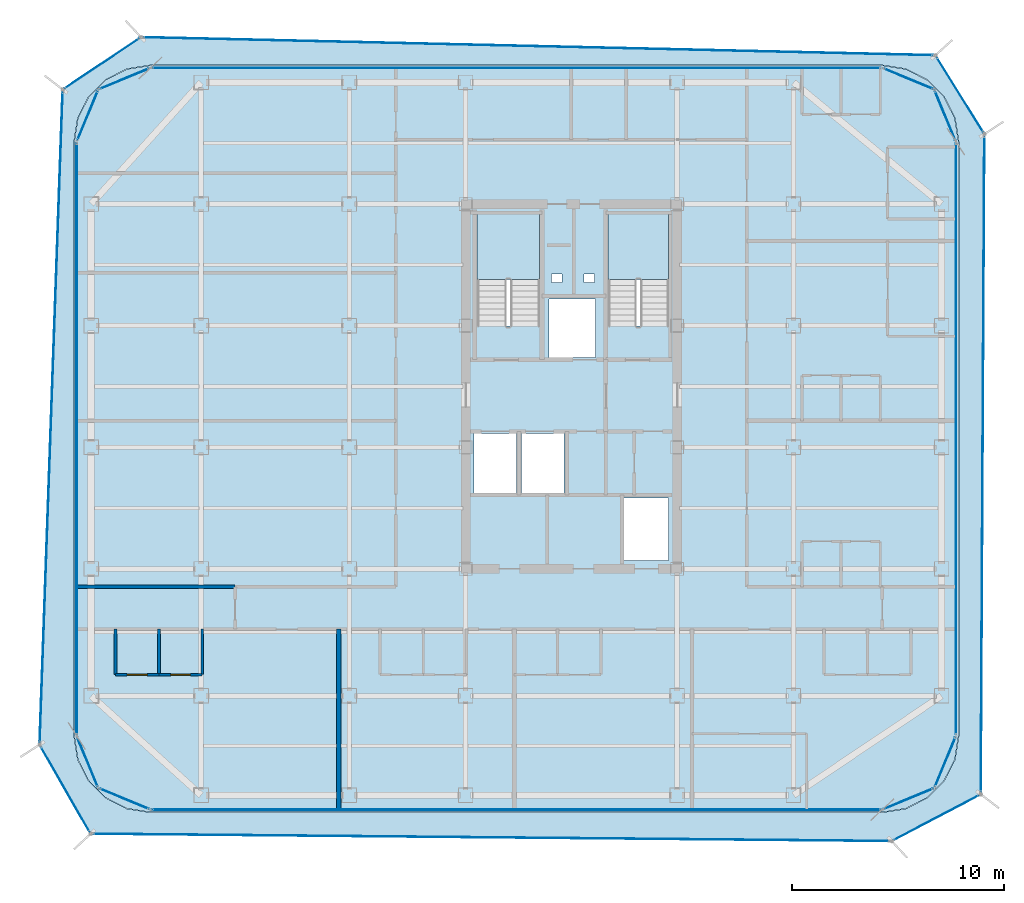
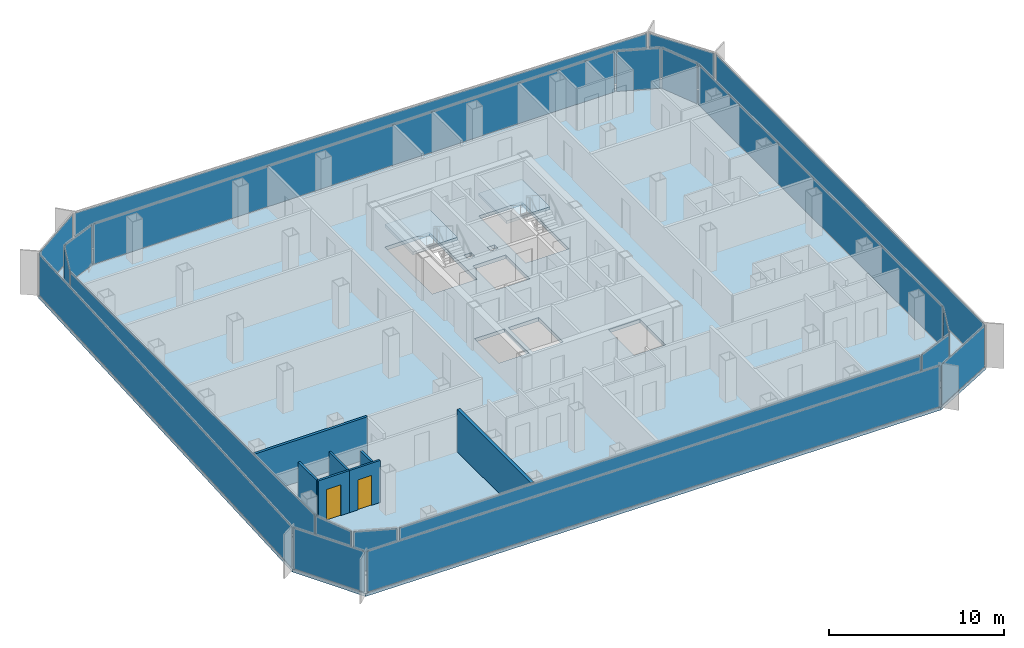
# One storey, part 9 of 16: 20 plates, 7 walls, 4 slabs, 2 doors, 2 openings, 22 elements without a shape of their own.
"""IFC4 building model written with IfcOpenShell, lengths in metres."""

import ifcopenshell
import ifcopenshell.guid

model = None  # the IFC model being written
_history = None  # IfcOwnerHistory: only IFC2X3 demands one
_inside = {}  # id of a spatial element -> (the spatial element, [elements in it])
_under = {}  # id of a project, library or spatial element -> (it, [spatial elements below it])
_declared = {}  # id of a project -> (the project, [libraries it declares])
_typed = {}  # id of a type object -> (the type object, [elements of that type])
_made_of = {}  # id of a material, layer set ... -> (it, [elements and type objects made of it])


def new_model(schema):
    """Start an empty IFC model of exactly this schema.

    Asked for "IFC4X3", IfcOpenShell would pick the latest addendum, in which some entities
    have other attributes; the version numbers below select the first issue.
    IFC2X3 requires an IfcOwnerHistory on every rooted entity: one is made here for all.
    """
    global model, _history
    if schema == "IFC4X3":
        model = ifcopenshell.file(schema_version=(4, 3, 0, 0))
    else:
        model = ifcopenshell.file(schema=schema)
    _inside.clear()
    _under.clear()
    _declared.clear()
    _typed.clear()
    _made_of.clear()
    _history = None
    if model.schema == "IFC2X3":
        org = make("IfcOrganization", Name="unknown")
        user = make(
            "IfcPersonAndOrganization",
            ThePerson=make("IfcPerson", FamilyName="unknown"),
            TheOrganization=org,
        )
        app = make(
            "IfcApplication",
            ApplicationDeveloper=org,
            Version="unknown",
            ApplicationFullName="unknown",
            ApplicationIdentifier="unknown",
        )
        _history = make(
            "IfcOwnerHistory",
            OwningUser=user,
            OwningApplication=app,
            ChangeAction="ADDED",
            CreationDate=0,
        )
    return model


def make(cls, **values):
    """One entity of the class cls with the attributes given. An attribute that is None is left unset."""
    return model.create_entity(
        cls, **{name: value for name, value in values.items() if value is not None}
    )


def rooted(cls, **values):
    """An entity with a GlobalId (a new one), such as an element, a storey or a relation."""
    return make(cls, GlobalId=ifcopenshell.guid.new(), OwnerHistory=_history, **values)


def si_unit(unit_type, name, prefix=None):
    """IfcSIUnit, for example si_unit("LENGTHUNIT", "METRE", prefix="MILLI")."""
    return make("IfcSIUnit", UnitType=unit_type, Prefix=prefix, Name=name)


def assignment(units):
    """IfcUnitAssignment: the units of a project."""
    return None if units is None else make("IfcUnitAssignment", Units=units)


def point(xyz):
    """IfcCartesianPoint."""
    return None if xyz is None else make("IfcCartesianPoint", Coordinates=xyz)


def direction(xyz):
    """IfcDirection."""
    return None if xyz is None else make("IfcDirection", DirectionRatios=xyz)


def frame(location, z_axis=None, x_axis=None):
    """IfcAxis2Placement3D, a coordinate frame: its origin and axes. An axis left out is left unset."""
    return make(
        "IfcAxis2Placement3D",
        Location=point(location),
        Axis=direction(z_axis),
        RefDirection=direction(x_axis),
    )


def frame_2d(location, x_axis=None):
    """IfcAxis2Placement2D, a coordinate frame in the plane: its origin and x axis."""
    return make(
        "IfcAxis2Placement2D", Location=point(location), RefDirection=direction(x_axis)
    )


def origin():
    """The frame at (0, 0, 0) with its axes left unset."""
    return frame((0.0, 0.0, 0.0))


def origin_2d():
    """The frame at (0, 0) in the plane with its x axis left unset."""
    return frame_2d((0.0, 0.0))


def place(relative_to, where):
    """IfcLocalPlacement: puts the frame where relative to a parent placement (None: the world)."""
    return make(
        "IfcLocalPlacement", PlacementRelTo=relative_to, RelativePlacement=where
    )


def context(
    kind, dimensions, precision=None, world=None, true_north=None, identifier=None
):
    """IfcGeometricRepresentationContext, for example the 3D "Model" context."""
    return make(
        "IfcGeometricRepresentationContext",
        ContextIdentifier=identifier,
        ContextType=kind,
        CoordinateSpaceDimension=dimensions,
        Precision=precision,
        WorldCoordinateSystem=world,
        TrueNorth=true_north,
    )


def subcontext(parent, identifier, kind, view, scale=None):
    """IfcGeometricRepresentationSubContext, for example "Body" below "Model"."""
    return make(
        "IfcGeometricRepresentationSubContext",
        ContextIdentifier=identifier,
        ContextType=kind,
        ParentContext=parent,
        TargetScale=scale,
        TargetView=view,
    )


def project(units=None, contexts=None):
    """IfcProject with its units and contexts."""
    return rooted(
        "IfcProject",
        Name="project",
        RepresentationContexts=contexts,
        UnitsInContext=assignment(units),
    )


def spatial(cls, under=None, at=None, **own):
    """A site, building, storey or space (cls), placed at a placement, below another one or the project."""
    s = rooted(cls, ObjectPlacement=at, **own)
    if under is not None:
        _under.setdefault(under.id(), (under, []))[1].append(s)
    return s


def polyline(points):
    """IfcPolyline through the points."""
    return make("IfcPolyline", Points=[point(p) for p in points])


def profile(cls, at=None, kind="AREA", **sizes):
    """A parametric profile (cls). Its sizes go by their IFC names, for example OverallWidth=200.0."""
    return make(cls, ProfileType=kind, Position=at, **sizes)


def rectangle(**sizes):
    """IfcRectangleProfileDef."""
    return profile("IfcRectangleProfileDef", **sizes)


def outline(outer, holes=None, kind="AREA"):
    """IfcArbitraryClosedProfileDef: a profile drawn as a closed curve; with holes, ...WithVoids."""
    if holes is None:
        return make("IfcArbitraryClosedProfileDef", ProfileType=kind, OuterCurve=outer)
    return make(
        "IfcArbitraryProfileDefWithVoids",
        ProfileType=kind,
        OuterCurve=outer,
        InnerCurves=holes,
    )


def extrude(swept, where, along, depth):
    """IfcExtrudedAreaSolid: the profile swept, set in the frame where, extruded along a direction by depth."""
    return make(
        "IfcExtrudedAreaSolid",
        SweptArea=swept,
        Position=where,
        ExtrudedDirection=direction(along),
        Depth=depth,
    )


def shape(context_of_items, identifier, shape_type, items):
    """IfcShapeRepresentation: the items that make up one representation, for example the "Body"."""
    return make(
        "IfcShapeRepresentation",
        ContextOfItems=context_of_items,
        RepresentationIdentifier=identifier,
        RepresentationType=shape_type,
        Items=items,
    )


def source(mapping_origin, context_of_items, identifier, shape_type, items):
    """IfcRepresentationMap: a shape defined once, which mapped items show again and again."""
    return make(
        "IfcRepresentationMap",
        MappingOrigin=mapping_origin,
        MappedRepresentation=shape(context_of_items, identifier, shape_type, items),
    )


def transform(
    local_origin,
    x_axis=None,
    y_axis=None,
    z_axis=None,
    scale=None,
    scale2=None,
    scale3=None,
    uniform=True,
):
    """IfcCartesianTransformationOperator3D, or its non-uniform kind. x_axis, y_axis, z_axis: its Axis1, 2, 3."""
    if uniform:
        return make(
            "IfcCartesianTransformationOperator3D",
            Axis1=direction(x_axis),
            Axis2=direction(y_axis),
            LocalOrigin=point(local_origin),
            Scale=scale,
            Axis3=direction(z_axis),
        )
    return make(
        "IfcCartesianTransformationOperator3DnonUniform",
        Axis1=direction(x_axis),
        Axis2=direction(y_axis),
        LocalOrigin=point(local_origin),
        Scale=scale,
        Axis3=direction(z_axis),
        Scale2=scale2,
        Scale3=scale3,
    )


def mapped(mapping_source, mapping_target):
    """IfcMappedItem: shows the shape of a source again, moved by a transform."""
    return make(
        "IfcMappedItem", MappingSource=mapping_source, MappingTarget=mapping_target
    )


def material(Name=None, Category=None):
    """IfcMaterial."""
    return make("IfcMaterial", Name=Name, Category=Category)


def layer(
    of_material, thickness, ventilated=None, Name=None, Category=None, Priority=None
):
    """IfcMaterialLayer: one layer of a wall or slab, of a material (None: an air gap)."""
    return make(
        "IfcMaterialLayer",
        Material=of_material,
        LayerThickness=thickness,
        IsVentilated=ventilated,
        Name=Name,
        Category=Category,
        Priority=Priority,
    )


def layer_set(layers, Name=None):
    """IfcMaterialLayerSet."""
    return make("IfcMaterialLayerSet", MaterialLayers=layers, LayerSetName=Name)


def made_of(thing, what):
    """Note that an element or type object is made of a material, layer set ...; save() writes the relation."""
    if what is not None:
        _made_of.setdefault(what.id(), (what, []))[1].append(thing)
    return thing


def type_object(cls, material=None, **own):
    """A type object (cls), such as IfcWallType, which elements share."""
    return made_of(rooted(cls, **own), material)


def element(
    cls,
    number,
    at=None,
    inside=None,
    cuts=None,
    type_object=None,
    material=None,
    context=None,
    identifier="Body",
    shape_type=None,
    held_by="IfcProductDefinitionShape",
    body=None,
    shapes=None,
    **own,
):
    """One element of the class cls, such as IfcWall. Its Tag is "e" and its number.

    at: its placement. inside: the storey or other place that contains it. cuts: it is an
    opening in that element (IfcRelVoidsElement). A single representation is given by context,
    identifier, shape_type and body (its items); several are given by shapes. held_by: the class
    of the entity that holds the representations. save() writes the other relations.
    """
    e = rooted(cls, Tag="e%d" % number, ObjectPlacement=at, **own)
    if body is not None:
        shapes = [shape(context, identifier, shape_type, body)]
    if shapes is not None:
        e.Representation = make(held_by, Representations=shapes)
    if inside is not None:
        _inside.setdefault(inside.id(), (inside, []))[1].append(e)
    if cuts is not None:
        rooted(
            "IfcRelVoidsElement", RelatingBuildingElement=cuts, RelatedOpeningElement=e
        )
    if type_object is not None:
        _typed.setdefault(type_object.id(), (type_object, []))[1].append(e)
    return made_of(e, material)


def fill(opening, filler):
    """IfcRelFillsElement: the door or window that sits in an opening."""
    return rooted(
        "IfcRelFillsElement",
        RelatingOpeningElement=opening,
        RelatedBuildingElement=filler,
    )


def aggregate(whole, parts):
    """IfcRelAggregates: a whole, such as a stair, and the parts it consists of."""
    return rooted("IfcRelAggregates", RelatingObject=whole, RelatedObjects=parts)


def save(model, path):
    """Write the relations noted so far, then the file.

    IfcRelAggregates (storeys below a building ...), IfcRelContainedInSpatialStructure (elements
    in a storey), IfcRelDefinesByType, IfcRelAssociatesMaterial and IfcRelDeclares: one each for
    every whole, place, type object, material and project.
    """
    for whole, parts in _under.values():
        aggregate(whole, parts)
    for where, things in _inside.values():
        rooted(
            "IfcRelContainedInSpatialStructure",
            RelatedElements=things,
            RelatingStructure=where,
        )
    for kind, things in _typed.values():
        rooted("IfcRelDefinesByType", RelatedObjects=things, RelatingType=kind)
    for what, things in _made_of.values():
        rooted("IfcRelAssociatesMaterial", RelatedObjects=things, RelatingMaterial=what)
    for by, libraries in _declared.values():
        rooted("IfcRelDeclares", RelatingContext=by, RelatedDefinitions=libraries)
    model.write(path)


model = new_model("IFC4")

# Units and contexts
model_context = context("Model", 3, precision=1e-05, world=origin(), true_north=direction((0.0, 1.0)))
body_context = subcontext(model_context, "Body", "Model", "MODEL_VIEW")
ifc_project = project(units=[si_unit("LENGTHUNIT", "METRE"), si_unit("AREAUNIT", "SQUARE_METRE"), si_unit("VOLUMEUNIT", "CUBIC_METRE"), si_unit("PLANEANGLEUNIT", "RADIAN"), si_unit("MASSUNIT", "GRAM", prefix="KILO")], contexts=[model_context])

# Site, building, storey
site_placement = place(None, origin())
site = spatial("IfcSite", under=ifc_project, at=site_placement, CompositionType="ELEMENT")
building_placement = place(site_placement, origin())
building = spatial("IfcBuilding", under=site, at=building_placement, Name="Kolveth Station Tower", CompositionType="ELEMENT")
storey_placement = place(building_placement, frame((0.0, 0.0, 162.5)))
storey = spatial("IfcBuildingStorey", under=building, at=storey_placement, Name="L45", CompositionType="ELEMENT", Elevation=162.5)

# Slab
ifc_material_1 = material(Name="Concrete C40/50", Category="concrete")
ifc_layer_1 = layer(ifc_material_1, 0.25)
ifc_layer_set_1 = layer_set([ifc_layer_1], Name="Concrete C40/50")
slab_type_1 = type_object("IfcSlabType", Name="Slab_SF-250", PredefinedType="FLOOR", material=ifc_layer_set_1)
slab_1_placement = place(storey_placement, frame((0.0, 0.0, -0.25)))
element("IfcSlab", 1, at=slab_1_placement, inside=storey, type_object=slab_type_1, Name="L45 Tower Structural Floor Slab", PredefinedType="FLOOR", context=body_context, shape_type="SweptSolid", body=[
    extrude(outline(polyline([(38.199951171875, 0.0), (39.3125, 0.17626953125), (40.31591796875, 0.6875), (41.112548828125, 1.48388671875), (41.623779296875, 2.487548828125), (41.800048828125, 3.60009765625), (41.800048828125, 31.699951171875), (41.623779296875, 32.8125), (41.112548828125, 33.81591796875), (40.31591796875, 34.612548828125), (39.3125, 35.123779296875), (38.199951171875, 35.300048828125), (3.60009765625, 35.300048828125), (2.487548828125, 35.123779296875), (1.48388671875, 34.612548828125), (0.6875, 33.81591796875), (0.17626953125, 32.8125), (0.0, 31.699951171875), (0.0, 3.60009765625), (0.17626953125, 2.487548828125), (0.6875, 1.48388671875), (1.48388671875, 0.6875), (2.487548828125, 0.17626953125), (3.60009765625, 0.0), (38.199951171875, 0.0)]), holes=[polyline([(19.0400390625, 22.985107421875), (22.0, 22.985107421875), (22.0, 28.39990234375), (19.0400390625, 28.39990234375), (19.0400390625, 22.985107421875)]), polyline([(25.239990234375, 22.985107421875), (28.10009765625, 22.985107421875), (28.10009765625, 28.39990234375), (25.239990234375, 28.39990234375), (25.239990234375, 22.985107421875)]), polyline([(18.89990234375, 15.10009765625), (20.89990234375, 15.10009765625), (20.89990234375, 17.89990234375), (18.89990234375, 17.89990234375), (18.89990234375, 15.10009765625)]), polyline([(21.14990234375, 15.10009765625), (23.14990234375, 15.10009765625), (23.14990234375, 17.89990234375), (21.14990234375, 17.89990234375), (21.14990234375, 15.10009765625)]), polyline([(22.449951171875, 21.5), (24.64990234375, 21.5), (24.64990234375, 24.25), (22.449951171875, 24.25), (22.449951171875, 21.5)]), polyline([(26.0, 11.89990234375), (28.10009765625, 11.89990234375), (28.10009765625, 14.85009765625), (26.0, 14.85009765625), (26.0, 11.89990234375)]), polyline([(22.550048828125, 25.050048828125), (23.050048828125, 25.050048828125), (23.050048828125, 25.449951171875), (22.550048828125, 25.449951171875), (22.550048828125, 25.050048828125)]), polyline([(24.10009765625, 25.050048828125), (24.60009765625, 25.050048828125), (24.60009765625, 25.449951171875), (24.10009765625, 25.449951171875), (24.10009765625, 25.050048828125)])]), origin(), (0.0, 0.0, 1.0), 0.25),
])

# Stair, slab
stair_type_1 = type_object("IfcStairType", Name="Stair_ST2", PredefinedType="HALF_TURN_STAIR", material=ifc_material_1)
stair_1_placement = place(storey_placement, origin())
stair_1 = element("IfcStair", 2, at=stair_1_placement, inside=storey, type_object=stair_type_1, Name="L45 Tower Exit Stair ST2", PredefinedType="HALF_TURN_STAIR")
ifc_layer_2 = layer(ifc_material_1, 0.18994140625)
ifc_layer_set_2 = layer_set([ifc_layer_2], Name="Concrete C40/50")
slab_type_2 = type_object("IfcSlabType", Name="Slab_SL-190", PredefinedType="LANDING", material=ifc_layer_set_2)
slab_2_placement = place(storey_placement, frame((0.0, 0.0, 1.39990234375)))
slab_2 = element("IfcSlab", 3, at=slab_2_placement, type_object=slab_type_2, Name="ST2 landing 1", PredefinedType="LANDING", context=body_context, shape_type="SweptSolid", body=[
    extrude(outline(polyline([(28.10009765625, 25.18994140625), (28.10009765625, 28.39990234375), (25.239990234375, 28.39990234375), (25.239990234375, 25.18994140625), (28.10009765625, 25.18994140625)])), origin(), (0.0, 0.0, 1.0), 0.2001953125),
])
aggregate(stair_1, [slab_2])

stair_type_2 = type_object("IfcStairType", Name="Stair_ST1", PredefinedType="HALF_TURN_STAIR", material=ifc_material_1)
stair_2_placement = place(storey_placement, origin())
stair_2 = element("IfcStair", 4, at=stair_2_placement, inside=storey, type_object=stair_type_2, Name="L45 Tower Exit Stair ST1", PredefinedType="HALF_TURN_STAIR")
ifc_layer_3 = layer(ifc_material_1, 0.205078125)
ifc_layer_set_3 = layer_set([ifc_layer_3], Name="Concrete C40/50")
slab_type_3 = type_object("IfcSlabType", Name="Slab_SL-205", PredefinedType="LANDING", material=ifc_layer_set_3)
slab_3_placement = place(storey_placement, frame((0.0, 0.0, 1.39990234375)))
slab_3 = element("IfcSlab", 5, at=slab_3_placement, type_object=slab_type_3, Name="ST1 landing 1", PredefinedType="LANDING", context=body_context, shape_type="SweptSolid", body=[
    extrude(outline(polyline([(22.0, 25.18994140625), (22.0, 28.39990234375), (19.0400390625, 28.39990234375), (19.0400390625, 25.18994140625), (22.0, 25.18994140625)])), origin(), (0.0, 0.0, 1.0), 0.2001953125),
])
aggregate(stair_2, [slab_3])

# Slab
ifc_layer_4 = layer(ifc_material_1, 0.2099609375)
ifc_layer_set_4 = layer_set([ifc_layer_4], Name="Concrete C40/50")
slab_type_4 = type_object("IfcSlabType", Name="Slab_ST-210", PredefinedType="FLOOR", material=ifc_layer_set_4)
slab_4_placement = place(storey_placement, frame((0.0, 0.0, -0.2099609375)))
element("IfcSlab", 6, at=slab_4_placement, inside=storey, type_object=slab_type_4, Name="L45 Double-Skin Cavity Structural Ledger Ring", PredefinedType="FLOOR", context=body_context, shape_type="SweptSolid", body=[
    extrude(outline(polyline([(0.7783203125, -1.022216796875), (-1.635498046875, 3.19140625), (-0.54296875, 34.16064453125), (3.16064453125, 36.633056640625), (40.7119140625, 35.779541015625), (43.026611328125, 32.057373046875), (42.8583984375, 0.84326171875), (38.643798828125, -1.368896484375), (0.7783203125, -1.022216796875)]), holes=[polyline([(38.202392578125, -0.014892578125), (39.314697265625, 0.161376953125), (39.3193359375, 0.162841796875), (40.32275390625, 0.674072265625), (40.32666015625, 0.677001953125), (41.123046875, 1.473388671875), (41.1259765625, 1.477294921875), (41.63720703125, 2.480712890625), (41.638671875, 2.485107421875), (41.814697265625, 3.59765625), (41.81494140625, 3.60009765625), (41.81494140625, 31.699951171875), (41.814697265625, 31.702392578125), (41.638671875, 32.814697265625), (41.63720703125, 32.8193359375), (41.1259765625, 33.82275390625), (41.123046875, 33.82666015625), (40.32666015625, 34.623046875), (40.32275390625, 34.6259765625), (39.3193359375, 35.13720703125), (39.314697265625, 35.138671875), (38.202392578125, 35.314697265625), (38.199951171875, 35.31494140625), (3.60009765625, 35.31494140625), (3.59765625, 35.314697265625), (2.485107421875, 35.138671875), (2.480712890625, 35.13720703125), (1.477294921875, 34.6259765625), (1.473388671875, 34.623046875), (0.677001953125, 33.82666015625), (0.674072265625, 33.82275390625), (0.162841796875, 32.8193359375), (0.161376953125, 32.814697265625), (-0.014892578125, 31.702392578125), (-0.014892578125, 31.699951171875), (-0.014892578125, 3.60009765625), (-0.014892578125, 3.59765625), (0.161376953125, 2.485107421875), (0.162841796875, 2.480712890625), (0.674072265625, 1.477294921875), (0.677001953125, 1.473388671875), (1.473388671875, 0.677001953125), (1.477294921875, 0.674072265625), (2.480712890625, 0.162841796875), (2.485107421875, 0.161376953125), (3.59765625, -0.014892578125), (3.60009765625, -0.014892578125), (38.199951171875, -0.014892578125), (38.202392578125, -0.014892578125)])]), origin(), (0.0, 0.0, 1.0), 0.2099609375),
])

# Curtain wall, plate
ifc_material_2 = material(Name="Black anodized aluminium 6063-T6 and dark solar glass", Category="aluminium")
ifc_layer_5 = layer(ifc_material_2, 0.159912109375)
ifc_layer_set_5 = layer_set([ifc_layer_5], Name="Black anodized aluminium 6063-T6 and dark solar glass")
curtain_wall_type_1 = type_object("IfcCurtainWallType", Name="OUTER SKIN CW-OS", PredefinedType="NOTDEFINED", material=ifc_layer_set_5)
curtain_wall_1_placement = place(storey_placement, origin())
curtain_wall_1 = element("IfcCurtainWall", 7, at=curtain_wall_1_placement, inside=storey, type_object=curtain_wall_type_1, Name="L45 Outer Ventilated Skin Curtain Wall 6", PredefinedType="NOTDEFINED")
ifc_material_3 = material(Name="Architectural low-E dark glass", Category="glass")
ifc_layer_6 = layer(ifc_material_3, 0.028076171875)
ifc_layer_set_6 = layer_set([ifc_layer_6], Name="Architectural low-E dark glass")
plate_type_1 = type_object("IfcPlateType", Name="Panel_GL-OS", PredefinedType="CURTAIN_PANEL", material=ifc_layer_set_6)
shared_shape_1 = source(origin(), body_context, "Body", "SweptSolid", [
    extrude(rectangle(XDim=30.822509765625, YDim=0.028076171875, at=origin_2d()), origin(), (0.0, 0.0, 1.0), 2.843994140625),
])
plate_1_placement = place(storey_placement, frame((-1.08935546875, 18.676025390625, 0.0732421875), z_axis=(0.0, 0.0, 1.0), x_axis=(-0.035258391556, -0.999378229613, 0.0)))
plate_1 = element("IfcPlate", 8, at=plate_1_placement, type_object=plate_type_1, Name="CW-OS panel 1.1", PredefinedType="CURTAIN_PANEL", context=body_context, shape_type="MappedRepresentation", body=[
    mapped(shared_shape_1, transform((0.0, 0.0, 0.0), x_axis=(1.0, 0.0, 0.0), y_axis=(0.0, 1.0, 0.0), z_axis=(0.0, 0.0, 1.0), scale=1.0)),
])
aggregate(curtain_wall_1, [plate_1])

ifc_material_4 = material(Name="Aluminium 6063-T6 and low-E dark glass", Category="aluminium")
ifc_layer_7 = layer(ifc_material_4, 0.18994140625)
ifc_layer_set_7 = layer_set([ifc_layer_7], Name="Aluminium 6063-T6 and low-E dark glass")
curtain_wall_type_2 = type_object("IfcCurtainWallType", Name="CurtainWall_CW-Z2", PredefinedType="NOTDEFINED", material=ifc_layer_set_7)
curtain_wall_2_placement = place(storey_placement, origin())
curtain_wall_2 = element("IfcCurtainWall", 9, at=curtain_wall_2_placement, inside=storey, type_object=curtain_wall_type_2, Name="L45 Inner Thermal Curtain Wall 1", PredefinedType="NOTDEFINED")
ifc_layer_8 = layer(ifc_material_3, 0.0380859375)
ifc_layer_set_8 = layer_set([ifc_layer_8], Name="Architectural low-E dark glass")
plate_type_2 = type_object("IfcPlateType", Name="Panel_GL2", PredefinedType="CURTAIN_PANEL", material=ifc_layer_set_8)
shared_shape_2 = source(origin(), body_context, "Body", "SweptSolid", [
    extrude(rectangle(XDim=2.517578125, YDim=0.0380859375, at=origin_2d()), origin(), (0.0, 0.0, 1.0), 2.803955078125),
])
plate_2_placement = place(storey_placement, frame((39.430419921875, 0.629638671875, 0.0732421875), z_axis=(0.0, 0.0, 1.0), x_axis=(0.923873600544, 0.382697753087, 0.0)))
plate_2 = element("IfcPlate", 10, at=plate_2_placement, type_object=plate_type_2, Name="CW-Z2 panel 1.1", PredefinedType="CURTAIN_PANEL", context=body_context, shape_type="MappedRepresentation", body=[
    mapped(shared_shape_2, transform((0.0, 0.0, 0.0), x_axis=(1.0, 0.0, 0.0), y_axis=(0.0, 1.0, 0.0), z_axis=(0.0, 0.0, 1.0), scale=1.0)),
])
aggregate(curtain_wall_2, [plate_2])

curtain_wall_3_placement = place(storey_placement, origin())
curtain_wall_3 = element("IfcCurtainWall", 11, at=curtain_wall_3_placement, inside=storey, type_object=curtain_wall_type_2, Name="L45 Inner Thermal Curtain Wall 2", PredefinedType="NOTDEFINED")
plate_3_placement = place(storey_placement, frame((41.17041015625, 2.36962890625, 0.0732421875), z_axis=(0.0, 0.0, 1.0), x_axis=(0.382697753087, 0.923873600544, 0.0)))
plate_3 = element("IfcPlate", 12, at=plate_3_placement, type_object=plate_type_2, Name="CW-Z2 panel 1.1", PredefinedType="CURTAIN_PANEL", context=body_context, shape_type="MappedRepresentation", body=[
    mapped(shared_shape_2, transform((0.0, 0.0, 0.0), x_axis=(1.0, 0.0, 0.0), y_axis=(0.0, 1.0, 0.0), z_axis=(0.0, 0.0, 1.0), scale=1.0)),
])
aggregate(curtain_wall_3, [plate_3])

curtain_wall_4_placement = place(storey_placement, origin())
curtain_wall_4 = element("IfcCurtainWall", 13, at=curtain_wall_4_placement, inside=storey, type_object=curtain_wall_type_2, Name="L45 Inner Thermal Curtain Wall 4", PredefinedType="NOTDEFINED")
plate_4_placement = place(storey_placement, frame((41.17041015625, 32.930419921875, 0.0732421875), z_axis=(0.0, 0.0, 1.0), x_axis=(-0.382697753087, 0.923873600544, 0.0)))
plate_4 = element("IfcPlate", 14, at=plate_4_placement, type_object=plate_type_2, Name="CW-Z2 panel 1.1", PredefinedType="CURTAIN_PANEL", context=body_context, shape_type="MappedRepresentation", body=[
    mapped(shared_shape_2, transform((0.0, 0.0, 0.0), x_axis=(1.0, 0.0, 0.0), y_axis=(0.0, 1.0, 0.0), z_axis=(0.0, 0.0, 1.0), scale=1.0)),
])
aggregate(curtain_wall_4, [plate_4])

curtain_wall_5_placement = place(storey_placement, origin())
curtain_wall_5 = element("IfcCurtainWall", 15, at=curtain_wall_5_placement, inside=storey, type_object=curtain_wall_type_2, Name="L45 Inner Thermal Curtain Wall 5", PredefinedType="NOTDEFINED")
plate_5_placement = place(storey_placement, frame((39.430419921875, 34.67041015625, 0.0732421875), z_axis=(0.0, 0.0, 1.0), x_axis=(-0.923873600544, 0.382697753087, 0.0)))
plate_5 = element("IfcPlate", 16, at=plate_5_placement, type_object=plate_type_2, Name="CW-Z2 panel 1.1", PredefinedType="CURTAIN_PANEL", context=body_context, shape_type="MappedRepresentation", body=[
    mapped(shared_shape_2, transform((0.0, 0.0, 0.0), x_axis=(1.0, 0.0, 0.0), y_axis=(0.0, 1.0, 0.0), z_axis=(0.0, 0.0, 1.0), scale=1.0)),
])
aggregate(curtain_wall_5, [plate_5])

curtain_wall_6_placement = place(storey_placement, origin())
curtain_wall_6 = element("IfcCurtainWall", 17, at=curtain_wall_6_placement, inside=storey, type_object=curtain_wall_type_2, Name="L45 Inner Thermal Curtain Wall 7", PredefinedType="NOTDEFINED")
plate_6_placement = place(storey_placement, frame((2.36962890625, 34.67041015625, 0.0732421875), z_axis=(0.0, 0.0, 1.0), x_axis=(-0.923873600544, -0.382697753087, 0.0)))
plate_6 = element("IfcPlate", 18, at=plate_6_placement, type_object=plate_type_2, Name="CW-Z2 panel 1.1", PredefinedType="CURTAIN_PANEL", context=body_context, shape_type="MappedRepresentation", body=[
    mapped(shared_shape_2, transform((0.0, 0.0, 0.0), x_axis=(1.0, 0.0, 0.0), y_axis=(0.0, 1.0, 0.0), z_axis=(0.0, 0.0, 1.0), scale=1.0)),
])
aggregate(curtain_wall_6, [plate_6])

curtain_wall_7_placement = place(storey_placement, origin())
curtain_wall_7 = element("IfcCurtainWall", 19, at=curtain_wall_7_placement, inside=storey, type_object=curtain_wall_type_2, Name="L45 Inner Thermal Curtain Wall 8", PredefinedType="NOTDEFINED")
plate_7_placement = place(storey_placement, frame((0.629638671875, 32.930419921875, 0.0732421875), z_axis=(0.0, 0.0, 1.0), x_axis=(-0.382697753087, -0.923873600544, 0.0)))
plate_7 = element("IfcPlate", 20, at=plate_7_placement, type_object=plate_type_2, Name="CW-Z2 panel 1.1", PredefinedType="CURTAIN_PANEL", context=body_context, shape_type="MappedRepresentation", body=[
    mapped(shared_shape_2, transform((0.0, 0.0, 0.0), x_axis=(1.0, 0.0, 0.0), y_axis=(0.0, 1.0, 0.0), z_axis=(0.0, 0.0, 1.0), scale=1.0)),
])
aggregate(curtain_wall_7, [plate_7])

curtain_wall_8_placement = place(storey_placement, origin())
curtain_wall_8 = element("IfcCurtainWall", 21, at=curtain_wall_8_placement, inside=storey, type_object=curtain_wall_type_2, Name="L45 Inner Thermal Curtain Wall 10", PredefinedType="NOTDEFINED")
plate_8_placement = place(storey_placement, frame((0.629638671875, 2.36962890625, 0.0732421875), z_axis=(0.0, 0.0, 1.0), x_axis=(0.382697753087, -0.923873600544, 0.0)))
plate_8 = element("IfcPlate", 22, at=plate_8_placement, type_object=plate_type_2, Name="CW-Z2 panel 1.1", PredefinedType="CURTAIN_PANEL", context=body_context, shape_type="MappedRepresentation", body=[
    mapped(shared_shape_2, transform((0.0, 0.0, 0.0), x_axis=(1.0, 0.0, 0.0), y_axis=(0.0, 1.0, 0.0), z_axis=(0.0, 0.0, 1.0), scale=1.0)),
])
aggregate(curtain_wall_8, [plate_8])

curtain_wall_9_placement = place(storey_placement, origin())
curtain_wall_9 = element("IfcCurtainWall", 23, at=curtain_wall_9_placement, inside=storey, type_object=curtain_wall_type_2, Name="L45 Inner Thermal Curtain Wall 11", PredefinedType="NOTDEFINED")
plate_9_placement = place(storey_placement, frame((2.36962890625, 0.629638671875, 0.0732421875), z_axis=(0.0, 0.0, 1.0), x_axis=(0.923873600544, -0.382697753087, 0.0)))
plate_9 = element("IfcPlate", 24, at=plate_9_placement, type_object=plate_type_2, Name="CW-Z2 panel 1.1", PredefinedType="CURTAIN_PANEL", context=body_context, shape_type="MappedRepresentation", body=[
    mapped(shared_shape_2, transform((0.0, 0.0, 0.0), x_axis=(1.0, 0.0, 0.0), y_axis=(0.0, 1.0, 0.0), z_axis=(0.0, 0.0, 1.0), scale=1.0)),
])
aggregate(curtain_wall_9, [plate_9])

curtain_wall_10_placement = place(storey_placement, origin())
curtain_wall_10 = element("IfcCurtainWall", 25, at=curtain_wall_10_placement, inside=storey, type_object=curtain_wall_type_2, Name="L45 Inner Thermal Curtain Wall 3", PredefinedType="NOTDEFINED")
shared_shape_3 = source(origin(), body_context, "Body", "SweptSolid", [
    extrude(rectangle(XDim=27.9541015625, YDim=0.0380859375, at=origin_2d()), origin(), (0.0, 0.0, 1.0), 2.803955078125),
])
plate_10_placement = place(storey_placement, frame((41.679931640625, 17.64990234375, 0.0732421875), z_axis=(0.0, 0.0, 1.0), x_axis=(0.0, 1.0, 0.0)))
plate_10 = element("IfcPlate", 26, at=plate_10_placement, type_object=plate_type_2, Name="CW-Z2 panel 1.1", PredefinedType="CURTAIN_PANEL", context=body_context, shape_type="MappedRepresentation", body=[
    mapped(shared_shape_3, transform((0.0, 0.0, 0.0), x_axis=(1.0, 0.0, 0.0), y_axis=(0.0, 1.0, 0.0), z_axis=(0.0, 0.0, 1.0), scale=1.0)),
])
aggregate(curtain_wall_10, [plate_10])

curtain_wall_11_placement = place(storey_placement, origin())
curtain_wall_11 = element("IfcCurtainWall", 27, at=curtain_wall_11_placement, inside=storey, type_object=curtain_wall_type_2, Name="L45 Inner Thermal Curtain Wall 9", PredefinedType="NOTDEFINED")
plate_11_placement = place(storey_placement, frame((0.1201171875, 17.64990234375, 0.0732421875), z_axis=(0.0, 0.0, 1.0), x_axis=(0.0, -1.0, 0.0)))
plate_11 = element("IfcPlate", 28, at=plate_11_placement, type_object=plate_type_2, Name="CW-Z2 panel 1.1", PredefinedType="CURTAIN_PANEL", context=body_context, shape_type="MappedRepresentation", body=[
    mapped(shared_shape_3, transform((0.0, 0.0, 0.0), x_axis=(1.0, 0.0, 0.0), y_axis=(0.0, 1.0, 0.0), z_axis=(0.0, 0.0, 1.0), scale=1.0)),
])
aggregate(curtain_wall_11, [plate_11])

curtain_wall_12_placement = place(storey_placement, origin())
curtain_wall_12 = element("IfcCurtainWall", 29, at=curtain_wall_12_placement, inside=storey, type_object=curtain_wall_type_2, Name="L45 Inner Thermal Curtain Wall 6", PredefinedType="NOTDEFINED")
shared_shape_4 = source(origin(), body_context, "Body", "SweptSolid", [
    extrude(rectangle(XDim=34.4541015625, YDim=0.0380859375, at=origin_2d()), origin(), (0.0, 0.0, 1.0), 2.803955078125),
])
plate_12_placement = place(storey_placement, frame((20.89990234375, 35.179931640625, 0.0732421875), z_axis=(0.0, 0.0, 1.0), x_axis=(-1.0, 0.0, 0.0)))
plate_12 = element("IfcPlate", 30, at=plate_12_placement, type_object=plate_type_2, Name="CW-Z2 panel 1.1", PredefinedType="CURTAIN_PANEL", context=body_context, shape_type="MappedRepresentation", body=[
    mapped(shared_shape_4, transform((0.0, 0.0, 0.0), x_axis=(1.0, 0.0, 0.0), y_axis=(0.0, 1.0, 0.0), z_axis=(0.0, 0.0, 1.0), scale=1.0)),
])
aggregate(curtain_wall_12, [plate_12])

curtain_wall_13_placement = place(storey_placement, origin())
curtain_wall_13 = element("IfcCurtainWall", 31, at=curtain_wall_13_placement, inside=storey, type_object=curtain_wall_type_2, Name="L45 Inner Thermal Curtain Wall 12", PredefinedType="NOTDEFINED")
plate_13_placement = place(storey_placement, frame((20.89990234375, 0.1201171875, 0.0732421875), z_axis=(0.0, 0.0, 1.0), x_axis=(1.0, 0.0, 0.0)))
plate_13 = element("IfcPlate", 32, at=plate_13_placement, type_object=plate_type_2, Name="CW-Z2 panel 1.1", PredefinedType="CURTAIN_PANEL", context=body_context, shape_type="MappedRepresentation", body=[
    mapped(shared_shape_4, transform((0.0, 0.0, 0.0), x_axis=(1.0, 0.0, 0.0), y_axis=(0.0, 1.0, 0.0), z_axis=(0.0, 0.0, 1.0), scale=1.0)),
])
aggregate(curtain_wall_13, [plate_13])

curtain_wall_14_placement = place(storey_placement, origin())
curtain_wall_14 = element("IfcCurtainWall", 33, at=curtain_wall_14_placement, inside=storey, type_object=curtain_wall_type_1, Name="L45 Outer Ventilated Skin Curtain Wall 1", PredefinedType="NOTDEFINED")
shared_shape_5 = source(origin(), body_context, "Body", "SweptSolid", [
    extrude(rectangle(XDim=4.59375, YDim=0.028076171875, at=origin_2d()), origin(), (0.0, 0.0, 1.0), 2.843994140625),
])
plate_14_placement = place(storey_placement, frame((40.751220703125, -0.2626953125, 0.0732421875), z_axis=(0.0, 0.0, 1.0), x_axis=(0.885455396115, 0.464724371526, 0.0)))
plate_14 = element("IfcPlate", 34, at=plate_14_placement, type_object=plate_type_1, Name="CW-OS panel 1.1", PredefinedType="CURTAIN_PANEL", context=body_context, shape_type="MappedRepresentation", body=[
    mapped(shared_shape_5, transform((0.0, 0.0, 0.0), x_axis=(1.0, 0.0, 0.0), y_axis=(0.0, 1.0, 0.0), z_axis=(0.0, 0.0, 1.0), scale=1.0)),
])
aggregate(curtain_wall_14, [plate_14])

curtain_wall_15_placement = place(storey_placement, origin())
curtain_wall_15 = element("IfcCurtainWall", 35, at=curtain_wall_15_placement, inside=storey, type_object=curtain_wall_type_1, Name="L45 Outer Ventilated Skin Curtain Wall 2", PredefinedType="NOTDEFINED")
shared_shape_6 = source(origin(), body_context, "Body", "SweptSolid", [
    extrude(rectangle(XDim=31.048583984375, YDim=0.028076171875, at=origin_2d()), origin(), (0.0, 0.0, 1.0), 2.843994140625),
])
plate_15_placement = place(storey_placement, frame((42.942626953125, 16.4501953125, 0.0732421875), z_axis=(0.0, 0.0, 1.0), x_axis=(0.005388494921, 0.999985481956, 0.0)))
plate_15 = element("IfcPlate", 36, at=plate_15_placement, type_object=plate_type_1, Name="CW-OS panel 1.1", PredefinedType="CURTAIN_PANEL", context=body_context, shape_type="MappedRepresentation", body=[
    mapped(shared_shape_6, transform((0.0, 0.0, 0.0), x_axis=(1.0, 0.0, 0.0), y_axis=(0.0, 1.0, 0.0), z_axis=(0.0, 0.0, 1.0), scale=1.0)),
])
aggregate(curtain_wall_15, [plate_15])

curtain_wall_16_placement = place(storey_placement, origin())
curtain_wall_16 = element("IfcCurtainWall", 37, at=curtain_wall_16_placement, inside=storey, type_object=curtain_wall_type_1, Name="L45 Outer Ventilated Skin Curtain Wall 3", PredefinedType="NOTDEFINED")
shared_shape_7 = source(origin(), body_context, "Body", "SweptSolid", [
    extrude(rectangle(XDim=4.21728515625, YDim=0.028076171875, at=origin_2d()), origin(), (0.0, 0.0, 1.0), 2.843994140625),
])
plate_16_placement = place(storey_placement, frame((41.869384765625, 33.91845703125, 0.0732421875), z_axis=(0.0, 0.0, 1.0), x_axis=(-0.528098665362, 0.849183018932, 0.0)))
plate_16 = element("IfcPlate", 38, at=plate_16_placement, type_object=plate_type_1, Name="CW-OS panel 1.1", PredefinedType="CURTAIN_PANEL", context=body_context, shape_type="MappedRepresentation", body=[
    mapped(shared_shape_7, transform((0.0, 0.0, 0.0), x_axis=(1.0, 0.0, 0.0), y_axis=(0.0, 1.0, 0.0), z_axis=(0.0, 0.0, 1.0), scale=1.0)),
])
aggregate(curtain_wall_16, [plate_16])

curtain_wall_17_placement = place(storey_placement, origin())
curtain_wall_17 = element("IfcCurtainWall", 39, at=curtain_wall_17_placement, inside=storey, type_object=curtain_wall_type_1, Name="L45 Outer Ventilated Skin Curtain Wall 4", PredefinedType="NOTDEFINED")
shared_shape_8 = source(origin(), body_context, "Body", "SweptSolid", [
    extrude(rectangle(XDim=37.39501953125, YDim=0.028076171875, at=origin_2d()), origin(), (0.0, 0.0, 1.0), 2.843994140625),
])
plate_17_placement = place(storey_placement, frame((21.936279296875, 36.206298828125, 0.0732421875), z_axis=(0.0, 0.0, 1.0), x_axis=(-0.999741798433, 0.022723038218, 0.0)))
plate_17 = element("IfcPlate", 40, at=plate_17_placement, type_object=plate_type_1, Name="CW-OS panel 1.1", PredefinedType="CURTAIN_PANEL", context=body_context, shape_type="MappedRepresentation", body=[
    mapped(shared_shape_8, transform((0.0, 0.0, 0.0), x_axis=(1.0, 0.0, 0.0), y_axis=(0.0, 1.0, 0.0), z_axis=(0.0, 0.0, 1.0), scale=1.0)),
])
aggregate(curtain_wall_17, [plate_17])

curtain_wall_18_placement = place(storey_placement, origin())
curtain_wall_18 = element("IfcCurtainWall", 41, at=curtain_wall_18_placement, inside=storey, type_object=curtain_wall_type_1, Name="L45 Outer Ventilated Skin Curtain Wall 5", PredefinedType="NOTDEFINED")
shared_shape_9 = source(origin(), body_context, "Body", "SweptSolid", [
    extrude(rectangle(XDim=4.287109375, YDim=0.028076171875, at=origin_2d()), origin(), (0.0, 0.0, 1.0), 2.843994140625),
])
plate_18_placement = place(storey_placement, frame((1.308837890625, 35.396728515625, 0.0732421875), z_axis=(0.0, 0.0, 1.0), x_axis=(-0.831694275962, -0.555233852833, 0.0)))
plate_18 = element("IfcPlate", 42, at=plate_18_placement, type_object=plate_type_1, Name="CW-OS panel 1.1", PredefinedType="CURTAIN_PANEL", context=body_context, shape_type="MappedRepresentation", body=[
    mapped(shared_shape_9, transform((0.0, 0.0, 0.0), x_axis=(1.0, 0.0, 0.0), y_axis=(0.0, 1.0, 0.0), z_axis=(0.0, 0.0, 1.0), scale=1.0)),
])
aggregate(curtain_wall_18, [plate_18])

curtain_wall_19_placement = place(storey_placement, origin())
curtain_wall_19 = element("IfcCurtainWall", 43, at=curtain_wall_19_placement, inside=storey, type_object=curtain_wall_type_1, Name="L45 Outer Ventilated Skin Curtain Wall 7", PredefinedType="NOTDEFINED")
shared_shape_10 = source(origin(), body_context, "Body", "SweptSolid", [
    extrude(rectangle(XDim=4.690185546875, YDim=0.028076171875, at=origin_2d()), origin(), (0.0, 0.0, 1.0), 2.843994140625),
])
plate_19_placement = place(storey_placement, frame((-0.4287109375, 1.084716796875, 0.0732421875), z_axis=(0.0, 0.0, 1.0), x_axis=(0.497065642125, -0.867712940677, 0.0)))
plate_19 = element("IfcPlate", 44, at=plate_19_placement, type_object=plate_type_1, Name="CW-OS panel 1.1", PredefinedType="CURTAIN_PANEL", context=body_context, shape_type="MappedRepresentation", body=[
    mapped(shared_shape_10, transform((0.0, 0.0, 0.0), x_axis=(1.0, 0.0, 0.0), y_axis=(0.0, 1.0, 0.0), z_axis=(0.0, 0.0, 1.0), scale=1.0)),
])
aggregate(curtain_wall_19, [plate_19])

curtain_wall_20_placement = place(storey_placement, origin())
curtain_wall_20 = element("IfcCurtainWall", 45, at=curtain_wall_20_placement, inside=storey, type_object=curtain_wall_type_1, Name="L45 Outer Ventilated Skin Curtain Wall 8", PredefinedType="NOTDEFINED")
shared_shape_11 = source(origin(), body_context, "Body", "SweptSolid", [
    extrude(rectangle(XDim=37.701416015625, YDim=0.028076171875, at=origin_2d()), origin(), (0.0, 0.0, 1.0), 2.843994140625),
])
plate_20_placement = place(storey_placement, frame((19.7109375, -1.195556640625, 0.0732421875), z_axis=(0.0, 0.0, 1.0), x_axis=(0.999958110242, -0.009153019255, 0.0)))
plate_20 = element("IfcPlate", 46, at=plate_20_placement, type_object=plate_type_1, Name="CW-OS panel 1.1", PredefinedType="CURTAIN_PANEL", context=body_context, shape_type="MappedRepresentation", body=[
    mapped(shared_shape_11, transform((0.0, 0.0, 0.0), x_axis=(1.0, 0.0, 0.0), y_axis=(0.0, 1.0, 0.0), z_axis=(0.0, 0.0, 1.0), scale=1.0)),
])
aggregate(curtain_wall_20, [plate_20])

# Wall, opening, door
ifc_material_5 = material(Name="Moisture-resistant gypsum partition")
ifc_layer_9 = layer(ifc_material_5, 0.135009765625)
ifc_layer_set_9 = layer_set([ifc_layer_9], Name="Moisture-resistant gypsum partition")
wall_type_1 = type_object("IfcWallType", Name="Wall_IW-135", PredefinedType="PARTITIONING", material=ifc_layer_set_9)
wall_1_placement = place(storey_placement, frame((1.949951171875, 6.5, 0.0), z_axis=(0.0, 0.0, 1.0), x_axis=(1.0, 0.0, 0.0)))
wall_1 = element("IfcWall", 47, at=wall_1_placement, inside=storey, type_object=wall_type_1, Name="L45 Partition Wall WL-L45-A1-IBHK", PredefinedType="PARTITIONING", context=body_context, shape_type="SweptSolid", body=[
    extrude(rectangle(XDim=2.050048828125, YDim=0.135009765625, at=frame_2d((1.02490234375, 0.0))), origin(), (0.0, 0.0, 1.0), 2.949951171875),
])
opening_1_placement = place(wall_1_placement, frame((0.544921875, 0.0, 0.0)))
opening_1 = element("IfcOpeningElement", 48, at=opening_1_placement, cuts=wall_1, Name="Opening ID1", PredefinedType="OPENING", context=body_context, shape_type="SweptSolid", body=[
    extrude(rectangle(XDim=0.949951171875, YDim=2.14990234375, at=frame_2d((0.47509765625, 1.074951171875))), frame((0.0, 0.077392578125, 0.0), z_axis=(0.0, -1.0, 0.0), x_axis=(1.0, 0.0, 0.0)), (0.0, 0.0, 1.0), 0.155029296875),
])
ifc_material_6 = material(Name="Acoustic hardwood leaf and aluminium frame", Category="wood")
door_type_1 = type_object("IfcDoorType", Name="Door_ID1", OperationType="NOTDEFINED", PredefinedType="DOOR", material=ifc_material_6)
door_1_placement = place(opening_1_placement, origin())
door_1 = element("IfcDoor", 49, at=door_1_placement, inside=storey, type_object=door_type_1, Name="Penthouse Flat L45-A1 Kitchen Door", OperationType="SINGLE_SWING_LEFT", OverallHeight=2.14990234375, OverallWidth=0.949951171875, PredefinedType="DOOR", context=body_context, shape_type="SweptSolid", body=[
    extrude(rectangle(XDim=0.949951171875, YDim=2.14990234375, at=frame_2d((0.47509765625, 1.074951171875))), frame((0.0, 0.02490234375, 0.0), z_axis=(0.0, -1.0, 0.0), x_axis=(1.0, 0.0, 0.0)), (0.0, 0.0, 1.0), 0.050048828125),
])
fill(opening_1, door_1)

wall_2_placement = place(storey_placement, frame((4.0, 6.5, 0.0), z_axis=(0.0, 0.0, 1.0), x_axis=(1.0, 0.0, 0.0)))
wall_2 = element("IfcWall", 50, at=wall_2_placement, inside=storey, type_object=wall_type_1, Name="L45 Partition Wall WL-L45-A1-IBHB", PredefinedType="PARTITIONING", context=body_context, shape_type="SweptSolid", body=[
    extrude(rectangle(XDim=2.050048828125, YDim=0.135009765625, at=frame_2d((1.02490234375, 0.0))), origin(), (0.0, 0.0, 1.0), 2.949951171875),
])
opening_2_placement = place(wall_2_placement, frame((0.56494140625, 0.0, 0.0)))
opening_2 = element("IfcOpeningElement", 51, at=opening_2_placement, cuts=wall_2, Name="Opening ID2", PredefinedType="OPENING", context=body_context, shape_type="SweptSolid", body=[
    extrude(rectangle(XDim=0.919921875, YDim=2.10009765625, at=frame_2d((0.4599609375, 1.050048828125))), frame((0.0, 0.077392578125, 0.0), z_axis=(0.0, -1.0, 0.0), x_axis=(1.0, 0.0, 0.0)), (0.0, 0.0, 1.0), 0.155029296875),
])
ifc_material_7 = material(Name="Moisture-resistant hardwood leaf", Category="wood")
door_type_2 = type_object("IfcDoorType", Name="Door_ID2", OperationType="NOTDEFINED", PredefinedType="DOOR", material=ifc_material_7)
door_2_placement = place(opening_2_placement, origin())
door_2 = element("IfcDoor", 52, at=door_2_placement, inside=storey, type_object=door_type_2, Name="Penthouse Flat L45-A1 Bathroom Door", OperationType="SINGLE_SWING_LEFT", OverallHeight=2.10009765625, OverallWidth=0.919921875, PredefinedType="DOOR", context=body_context, shape_type="SweptSolid", body=[
    extrude(rectangle(XDim=0.919921875, YDim=2.10009765625, at=frame_2d((0.4599609375, 1.050048828125))), frame((0.0, 0.02490234375, 0.0), z_axis=(0.0, -1.0, 0.0), x_axis=(1.0, 0.0, 0.0)), (0.0, 0.0, 1.0), 0.050048828125),
])
fill(opening_2, door_2)

# Walls
for number, where, z_axis, x_axis, name in (
    (53, (1.949951171875, 6.5, 0.0), (0.0, 0.0, 1.0), (0.0, 1.0, 0.0), "L45 Partition Wall WL-L45-A1-IBV0"),
    (54, (4.0, 6.5, 0.0), (0.0, 0.0, 1.0), (0.0, 1.0, 0.0), "L45 Partition Wall WL-L45-A1-IBV1"),
):
    element("IfcWall", number, at=place(storey_placement, frame(where, z_axis=z_axis, x_axis=x_axis)), inside=storey, type_object=wall_type_1, Name=name, PredefinedType="PARTITIONING", context=body_context, shape_type="SweptSolid", body=[
        extrude(rectangle(XDim=2.14990234375, YDim=0.135009765625, at=frame_2d((1.074951171875, 0.0))), origin(), (0.0, 0.0, 1.0), 2.949951171875),
    ])
wall_3_placement = place(storey_placement, frame((6.050048828125, 6.5, 0.0), z_axis=(0.0, 0.0, 1.0), x_axis=(0.0, 1.0, 0.0)))
element("IfcWall", 55, at=wall_3_placement, inside=storey, type_object=wall_type_1, Name="L45 Partition Wall WL-L45-A1-IBV2", PredefinedType="PARTITIONING", context=body_context, shape_type="SweptSolid", body=[
    extrude(rectangle(XDim=2.14990234375, YDim=0.135009765625, at=frame_2d((1.074951171875, 0.0))), origin(), (0.0, 0.0, 1.0), 2.322998046875),
])
ifc_material_8 = material(Name="Acoustic double-stud gypsum partition")
ifc_layer_10 = layer(ifc_material_8, 0.1650390625)
ifc_layer_set_10 = layer_set([ifc_layer_10], Name="Acoustic double-stud gypsum partition")
wall_type_2 = type_object("IfcWallType", Name="Wall_IW-165", PredefinedType="PARTITIONING", material=ifc_layer_set_10)
wall_4_placement = place(storey_placement, frame((0.159912109375, 10.64990234375, 0.0), z_axis=(0.0, 0.0, 1.0), x_axis=(1.0, 0.0, 0.0)))
element("IfcWall", 56, at=wall_4_placement, inside=storey, type_object=wall_type_2, Name="L45 Partition Wall WL-L45-WSTN", PredefinedType="PARTITIONING", context=body_context, shape_type="SweptSolid", body=[
    extrude(rectangle(XDim=7.440185546875, YDim=0.1650390625, at=frame_2d((3.72021484375, 0.0))), origin(), (0.0, 0.0, 1.0), 2.949951171875),
])
ifc_material_9 = material(Name="Acoustic fire-rated gypsum blockwork", Category="masonry")
ifc_layer_11 = layer(ifc_material_9, 0.199951171875)
ifc_layer_set_11 = layer_set([ifc_layer_11], Name="Acoustic fire-rated gypsum blockwork")
wall_type_3 = type_object("IfcWallType", Name="Wall_IW-200", PredefinedType="PARTITIONING", material=ifc_layer_set_11)
wall_5_placement = place(storey_placement, frame((12.5, 0.159912109375, 0.0), z_axis=(0.0, 0.0, 1.0), x_axis=(0.0, 1.0, 0.0)))
element("IfcWall", 57, at=wall_5_placement, inside=storey, type_object=wall_type_3, Name="L45 Partition Wall WL-L45-RSU-1", PredefinedType="PARTITIONING", context=body_context, shape_type="SweptSolid", body=[
    extrude(rectangle(XDim=8.489990234375, YDim=0.199951171875, at=frame_2d((4.2451171875, 0.0))), origin(), (0.0, 0.0, 1.0), 2.949951171875),
])

save(model, "model.ifc")
